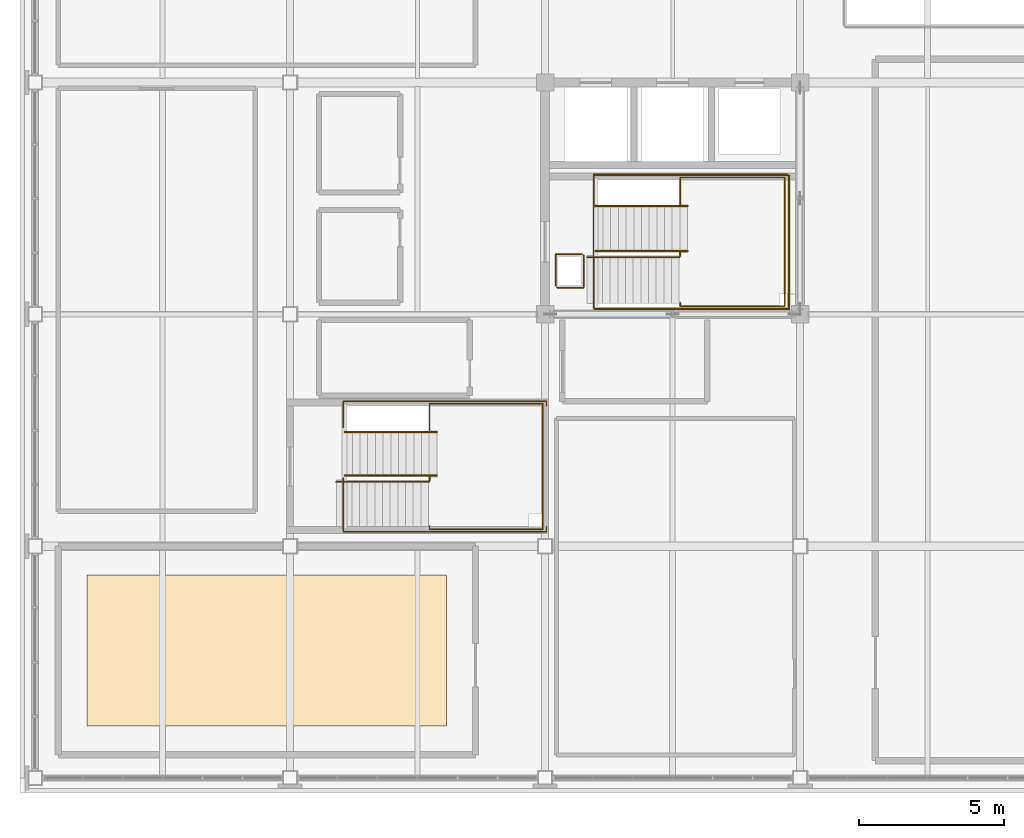
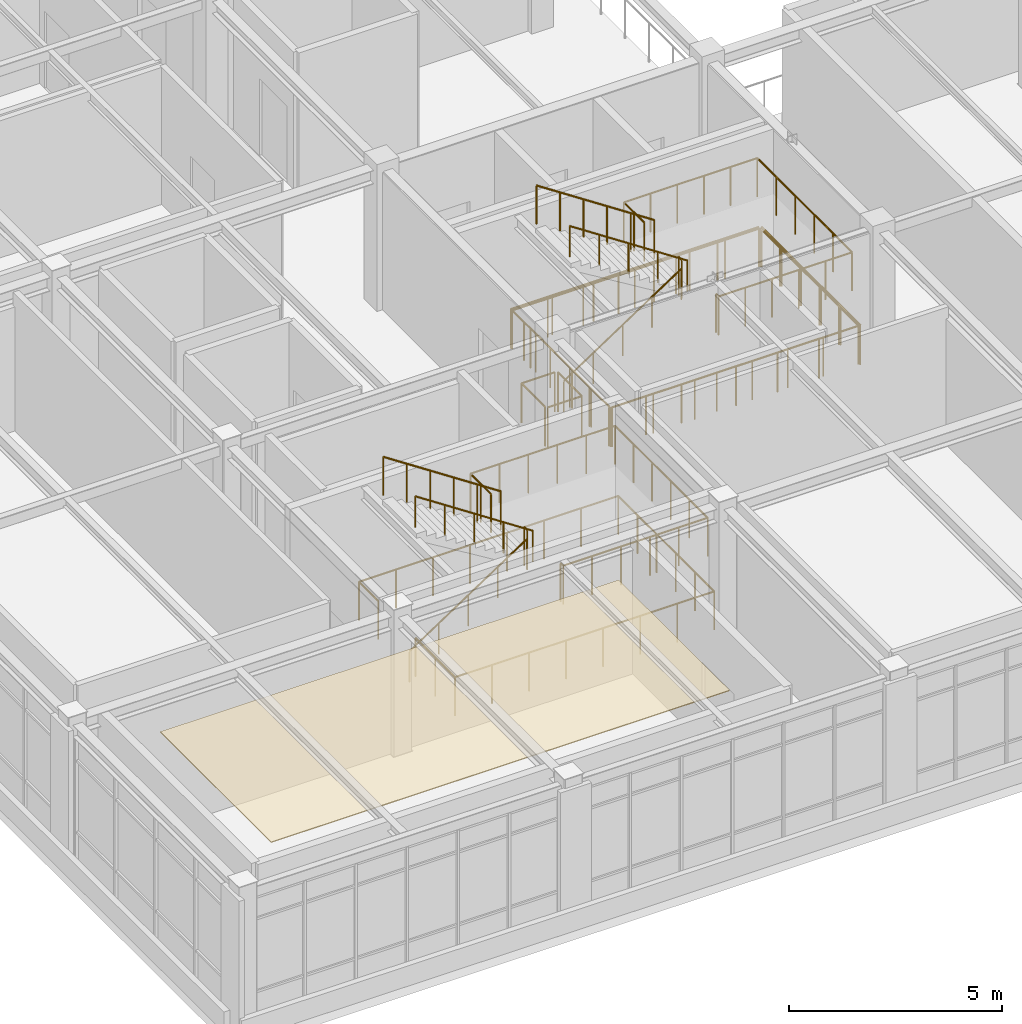
# One storey, part 43 of 45: 16 railings, 1 covering.
"""IFC4 building model written with IfcOpenShell, lengths in metres."""

from ifc_helpers import new_model, si_unit, direction, frame, origin, origin_2d, place, context, subcontext, project, spatial, rectangle, circle, extrude, material, layer, layer_set, type_object, element, save


model = new_model("IFC4")

# Units and contexts
model_context = context("Model", 3, precision=1e-05, world=origin(), true_north=direction((0.0, 1.0)))
body_context = subcontext(model_context, "Body", "Model", "MODEL_VIEW")
ifc_project = project(units=[si_unit("LENGTHUNIT", "METRE"), si_unit("AREAUNIT", "SQUARE_METRE"), si_unit("VOLUMEUNIT", "CUBIC_METRE"), si_unit("PLANEANGLEUNIT", "RADIAN"), si_unit("MASSUNIT", "GRAM", prefix="KILO")], contexts=[model_context])

# Site, building, storey
site_placement = place(None, origin())
site = spatial("IfcSite", under=ifc_project, at=site_placement, CompositionType="ELEMENT")
building_placement = place(site_placement, origin())
building = spatial("IfcBuilding", under=site, at=building_placement, Name="Zhaolan Boulevard Law Courts", CompositionType="ELEMENT")
storey_placement = place(building_placement, frame((0.0, 0.0, 24.60009765625)))
storey = spatial("IfcBuildingStorey", under=building, at=storey_placement, Name="L05", CompositionType="ELEMENT", Elevation=24.60009765625)

# Covering
ifc_material_1 = material(Name="Perforated acoustic gypsum and timber-slat ceiling", Category="wood")
ifc_layer = layer(ifc_material_1, 0.02490234375)
ifc_layer_set = layer_set([ifc_layer])
covering_type = type_object("IfcCoveringType", Name="ACOUSTIC CEILING 25", PredefinedType="CEILING", material=ifc_layer_set)
covering_placement = place(storey_placement, frame((8.0, 34.39990234375, 3.517333984375), z_axis=(0.0, 0.0, 1.0), x_axis=(1.0, 0.0, 0.0)))
element("IfcCovering", 1, at=covering_placement, inside=storey, type_object=covering_type, Name="Acoustic Baffle Ceiling CLG-12", PredefinedType="CEILING", context=body_context, shape_type="SweptSolid", body=[
    extrude(rectangle(XDim=12.39990234375, YDim=5.199951171875, at=origin_2d()), origin(), (0.0, 0.0, 1.0), 0.02490234375),
])

# Railings
ifc_material_2 = material(Name="Powder-coated steel and tempered laminated glass", Category="steel")
railing_type_1 = type_object("IfcRailingType", Name="INTERIOR GUARDRAIL 1150", PredefinedType="GUARDRAIL", material=ifc_material_2)
railing_1_placement = place(storey_placement, frame((19.31005859375, 46.169921875, 0.0)))
element("IfcRailing", 2, at=railing_1_placement, inside=storey, type_object=railing_type_1, Name="Atrium Gallery Guardrail VG-5-V5-6A", PredefinedType="GUARDRAIL", context=body_context, shape_type="SweptSolid", body=[
    extrude(circle(Radius=0.02490234375, at=origin_2d()), frame((0.0, 0.0, 1.125), z_axis=(1.0, 0.0, 0.0), x_axis=(0.0, 1.0, 0.0)), (0.0, 0.0, 1.0), 6.719970703125),
    extrude(circle(Radius=0.02490234375, at=origin_2d()), frame((6.719970703125, 0.0, 1.125), z_axis=(0.0, 1.0, 0.0), x_axis=(-1.0, 0.0, 0.0)), (0.0, 0.0, 1.0), 4.6201171875),
    extrude(circle(Radius=0.02099609375, at=origin_2d()), origin(), (0.0, 0.0, 1.0), 1.099853515625),
    extrude(circle(Radius=0.02099609375, at=origin_2d()), frame((1.1201171875, 0.0, 0.0)), (0.0, 0.0, 1.0), 1.099853515625),
    extrude(circle(Radius=0.02099609375, at=origin_2d()), frame((2.239990234375, 0.0, 0.0)), (0.0, 0.0, 1.0), 1.099853515625),
    extrude(circle(Radius=0.02099609375, at=origin_2d()), frame((3.35986328125, 0.0, 0.0)), (0.0, 0.0, 1.0), 1.099853515625),
    extrude(circle(Radius=0.02099609375, at=origin_2d()), frame((4.47998046875, 0.0, 0.0)), (0.0, 0.0, 1.0), 1.099853515625),
    extrude(circle(Radius=0.02099609375, at=origin_2d()), frame((5.60009765625, 0.0, 0.0)), (0.0, 0.0, 1.0), 1.099853515625),
    extrude(circle(Radius=0.02099609375, at=origin_2d()), frame((6.719970703125, 0.0, 0.0)), (0.0, 0.0, 1.0), 1.099853515625),
    extrude(circle(Radius=0.02099609375, at=origin_2d()), frame((6.719970703125, 0.924072265625, 0.0)), (0.0, 0.0, 1.0), 1.099853515625),
    extrude(circle(Radius=0.02099609375, at=origin_2d()), frame((6.719970703125, 1.84814453125, 0.0)), (0.0, 0.0, 1.0), 1.099853515625),
    extrude(circle(Radius=0.02099609375, at=origin_2d()), frame((6.719970703125, 2.77197265625, 0.0)), (0.0, 0.0, 1.0), 1.099853515625),
    extrude(circle(Radius=0.02099609375, at=origin_2d()), frame((6.719970703125, 3.696044921875, 0.0)), (0.0, 0.0, 1.0), 1.099853515625),
    extrude(circle(Radius=0.02099609375, at=origin_2d()), frame((6.719970703125, 4.6201171875, 0.0)), (0.0, 0.0, 1.0), 1.099853515625),
])
railing_2_placement = place(storey_placement, frame((25.969970703125, 50.830078125, 0.0)))
element("IfcRailing", 3, at=railing_2_placement, inside=storey, type_object=railing_type_1, Name="Atrium Gallery Guardrail VG-5-V5-6B", PredefinedType="GUARDRAIL", context=body_context, shape_type="SweptSolid", body=[
    extrude(circle(Radius=0.02490234375, at=origin_2d()), frame((0.0, 0.0, 1.125), z_axis=(-1.0, 0.0, 0.0), x_axis=(0.0, -1.0, 0.0)), (0.0, 0.0, 1.0), 6.699951171875),
    extrude(circle(Radius=0.02490234375, at=origin_2d()), frame((-6.699951171875, 0.0, 1.125), z_axis=(0.0, -1.0, 0.0), x_axis=(1.0, 0.0, 0.0)), (0.0, 0.0, 1.0), 4.60009765625),
    extrude(circle(Radius=0.02099609375, at=origin_2d()), origin(), (0.0, 0.0, 1.0), 1.099853515625),
    extrude(circle(Radius=0.02099609375, at=origin_2d()), frame((-1.11669921875, 0.0, 0.0)), (0.0, 0.0, 1.0), 1.099853515625),
    extrude(circle(Radius=0.02099609375, at=origin_2d()), frame((-2.2333984375, 0.0, 0.0)), (0.0, 0.0, 1.0), 1.099853515625),
    extrude(circle(Radius=0.02099609375, at=origin_2d()), frame((-3.35009765625, 0.0, 0.0)), (0.0, 0.0, 1.0), 1.099853515625),
    extrude(circle(Radius=0.02099609375, at=origin_2d()), frame((-4.466552734375, 0.0, 0.0)), (0.0, 0.0, 1.0), 1.099853515625),
    extrude(circle(Radius=0.02099609375, at=origin_2d()), frame((-5.583251953125, 0.0, 0.0)), (0.0, 0.0, 1.0), 1.099853515625),
    extrude(circle(Radius=0.02099609375, at=origin_2d()), frame((-6.699951171875, 0.0, 0.0)), (0.0, 0.0, 1.0), 1.099853515625),
    extrude(circle(Radius=0.02099609375, at=origin_2d()), frame((-6.699951171875, -0.919921875, 0.0)), (0.0, 0.0, 1.0), 1.099853515625),
    extrude(circle(Radius=0.02099609375, at=origin_2d()), frame((-6.699951171875, -1.840087890625, 0.0)), (0.0, 0.0, 1.0), 1.099853515625),
    extrude(circle(Radius=0.02099609375, at=origin_2d()), frame((-6.699951171875, -2.760009765625, 0.0)), (0.0, 0.0, 1.0), 1.099853515625),
    extrude(circle(Radius=0.02099609375, at=origin_2d()), frame((-6.699951171875, -3.68017578125, 0.0)), (0.0, 0.0, 1.0), 1.099853515625),
    extrude(circle(Radius=0.02099609375, at=origin_2d()), frame((-6.699951171875, -4.60009765625, 0.0)), (0.0, 0.0, 1.0), 1.099853515625),
])
railing_3_placement = place(storey_placement, frame((18.010009765625, 46.919921875, 0.0)))
element("IfcRailing", 4, at=railing_3_placement, inside=storey, type_object=railing_type_1, Name="Atrium Gallery Guardrail VG-5-V5-9A", PredefinedType="GUARDRAIL", context=body_context, shape_type="SweptSolid", body=[
    extrude(circle(Radius=0.02490234375, at=origin_2d()), frame((0.0, 0.0, 1.125), z_axis=(1.0, 0.0, 0.0), x_axis=(0.0, 1.0, 0.0)), (0.0, 0.0, 1.0), 0.919921875),
    extrude(circle(Radius=0.02490234375, at=origin_2d()), frame((0.919921875, 0.0, 1.125), z_axis=(0.0, 1.0, 0.0), x_axis=(-1.0, 0.0, 0.0)), (0.0, 0.0, 1.0), 1.1201171875),
    extrude(circle(Radius=0.02099609375, at=origin_2d()), origin(), (0.0, 0.0, 1.0), 1.099853515625),
    extrude(circle(Radius=0.02099609375, at=origin_2d()), frame((0.919921875, 0.0, 0.0)), (0.0, 0.0, 1.0), 1.099853515625),
    extrude(circle(Radius=0.02099609375, at=origin_2d()), frame((0.919921875, 1.1201171875, 0.0)), (0.0, 0.0, 1.0), 1.099853515625),
])
railing_4_placement = place(storey_placement, frame((18.8701171875, 48.080078125, 0.0)))
element("IfcRailing", 5, at=railing_4_placement, inside=storey, type_object=railing_type_1, Name="Atrium Gallery Guardrail VG-5-V5-9B", PredefinedType="GUARDRAIL", context=body_context, shape_type="SweptSolid", body=[
    extrude(circle(Radius=0.02490234375, at=origin_2d()), frame((0.0, 0.0, 1.125), z_axis=(-1.0, 0.0, 0.0), x_axis=(0.0, -1.0, 0.0)), (0.0, 0.0, 1.0), 0.900146484375),
    extrude(circle(Radius=0.02490234375, at=origin_2d()), frame((-0.900146484375, 0.0, 1.125), z_axis=(0.0, -1.0, 0.0), x_axis=(1.0, 0.0, 0.0)), (0.0, 0.0, 1.0), 1.10009765625),
    extrude(circle(Radius=0.02099609375, at=origin_2d()), origin(), (0.0, 0.0, 1.0), 1.099853515625),
    extrude(circle(Radius=0.02099609375, at=origin_2d()), frame((-0.900146484375, 0.0, 0.0)), (0.0, 0.0, 1.0), 1.099853515625),
    extrude(circle(Radius=0.02099609375, at=origin_2d()), frame((-0.900146484375, -1.10009765625, 0.0)), (0.0, 0.0, 1.0), 1.099853515625),
])
ifc_material_3 = material(Name="Brushed stainless steel tubular handrail", Category="steel")
railing_type_2 = type_object("IfcRailingType", Name="STAIR HANDRAIL 900", PredefinedType="HANDRAIL", material=ifc_material_3)
railing_5_placement = place(storey_placement, frame((19.050048828125, 47.969970703125, 0.0)))
element("IfcRailing", 6, at=railing_5_placement, inside=storey, type_object=railing_type_2, Name="Stair Handrail HR-ST01-L05-1", PredefinedType="HANDRAIL", context=body_context, shape_type="SweptSolid", body=[
    extrude(circle(Radius=0.0224609375, at=origin_2d()), frame((0.0, 0.0, 0.87744140625), z_axis=(0.834476838559, 0.0, 0.551043016387), x_axis=(0.0, 1.0, 0.0)), (0.0, 0.0, 1.0), 3.810791015625),
    extrude(circle(Radius=0.01904296875, at=origin_2d()), origin(), (0.0, 0.0, 1.0), 0.85498046875),
    extrude(circle(Radius=0.01904296875, at=origin_2d()), frame((0.794921875, 0.0, 0.52490234375)), (0.0, 0.0, 1.0), 0.85498046875),
    extrude(circle(Radius=0.01904296875, at=origin_2d()), frame((1.58984375, 0.0, 1.0498046875)), (0.0, 0.0, 1.0), 0.85498046875),
    extrude(circle(Radius=0.01904296875, at=origin_2d()), frame((2.385009765625, 0.0, 1.574951171875)), (0.0, 0.0, 1.0), 0.85498046875),
    extrude(circle(Radius=0.01904296875, at=origin_2d()), frame((3.179931640625, 0.0, 2.099853515625)), (0.0, 0.0, 1.0), 0.85498046875),
])
railing_6_placement = place(storey_placement, frame((22.514892578125, 48.18994140625, 2.099853515625)))
element("IfcRailing", 7, at=railing_6_placement, inside=storey, type_object=railing_type_2, Name="Stair Handrail HR-ST01-L05-2", PredefinedType="HANDRAIL", context=body_context, shape_type="SweptSolid", body=[
    extrude(circle(Radius=0.0224609375, at=origin_2d()), frame((0.0, 0.0, 0.87744140625), z_axis=(-0.834447378162, 0.0, 0.551087627405), x_axis=(0.0, -1.0, 0.0)), (0.0, 0.0, 1.0), 3.810791015625),
    extrude(circle(Radius=0.01904296875, at=origin_2d()), origin(), (0.0, 0.0, 1.0), 0.85498046875),
    extrude(circle(Radius=0.01904296875, at=origin_2d()), frame((-0.794921875, 0.0, 0.52490234375)), (0.0, 0.0, 1.0), 0.85498046875),
    extrude(circle(Radius=0.01904296875, at=origin_2d()), frame((-1.58984375, 0.0, 1.050048828125)), (0.0, 0.0, 1.0), 0.85498046875),
    extrude(circle(Radius=0.01904296875, at=origin_2d()), frame((-2.385009765625, 0.0, 1.5751953125)), (0.0, 0.0, 1.0), 0.85498046875),
    extrude(circle(Radius=0.01904296875, at=origin_2d()), frame((-3.179931640625, 0.0, 2.10009765625)), (0.0, 0.0, 1.0), 0.85498046875),
])
railing_7_placement = place(storey_placement, frame((10.39990234375, 40.219970703125, 0.0)))
element("IfcRailing", 8, at=railing_7_placement, inside=storey, type_object=railing_type_2, Name="Stair Handrail HR-ST03-L05-1", PredefinedType="HANDRAIL", context=body_context, shape_type="SweptSolid", body=[
    extrude(circle(Radius=0.0224609375, at=origin_2d()), frame((0.0, 0.0, 0.87744140625), z_axis=(0.834496290938, 0.0, 0.551013557374), x_axis=(0.0, 1.0, 0.0)), (0.0, 0.0, 1.0), 3.810791015625),
    extrude(circle(Radius=0.01904296875, at=origin_2d()), origin(), (0.0, 0.0, 1.0), 0.85498046875),
    extrude(circle(Radius=0.01904296875, at=origin_2d()), frame((0.794921875, 0.0, 0.52490234375)), (0.0, 0.0, 1.0), 0.85498046875),
    extrude(circle(Radius=0.01904296875, at=origin_2d()), frame((1.590087890625, 0.0, 1.0498046875)), (0.0, 0.0, 1.0), 0.85498046875),
    extrude(circle(Radius=0.01904296875, at=origin_2d()), frame((2.38525390625, 0.0, 1.574951171875)), (0.0, 0.0, 1.0), 0.85498046875),
    extrude(circle(Radius=0.01904296875, at=origin_2d()), frame((3.18017578125, 0.0, 2.099853515625)), (0.0, 0.0, 1.0), 0.85498046875),
])
railing_8_placement = place(storey_placement, frame((13.864990234375, 40.43994140625, 2.099853515625)))
element("IfcRailing", 9, at=railing_8_placement, inside=storey, type_object=railing_type_2, Name="Stair Handrail HR-ST03-L05-2", PredefinedType="HANDRAIL", context=body_context, shape_type="SweptSolid", body=[
    extrude(circle(Radius=0.0224609375, at=origin_2d()), frame((0.0, 0.0, 0.87744140625), z_axis=(-0.834447378162, 0.0, 0.551087627405), x_axis=(0.0, -1.0, 0.0)), (0.0, 0.0, 1.0), 3.810791015625),
    extrude(circle(Radius=0.01904296875, at=origin_2d()), origin(), (0.0, 0.0, 1.0), 0.85498046875),
    extrude(circle(Radius=0.01904296875, at=origin_2d()), frame((-0.794921875, 0.0, 0.52490234375)), (0.0, 0.0, 1.0), 0.85498046875),
    extrude(circle(Radius=0.01904296875, at=origin_2d()), frame((-1.58984375, 0.0, 1.050048828125)), (0.0, 0.0, 1.0), 0.85498046875),
    extrude(circle(Radius=0.01904296875, at=origin_2d()), frame((-2.385009765625, 0.0, 1.5751953125)), (0.0, 0.0, 1.0), 0.85498046875),
    extrude(circle(Radius=0.01904296875, at=origin_2d()), frame((-3.179931640625, 0.0, 2.10009765625)), (0.0, 0.0, 1.0), 0.85498046875),
])
ifc_material_4 = material(Name="Powder-coated steel baluster guardrail", Category="steel")
railing_type_3 = type_object("IfcRailingType", Name="STAIR WELL GUARDRAIL 1120", PredefinedType="GUARDRAIL", material=ifc_material_4)
railing_9_placement = place(storey_placement, frame((19.2900390625, 48.0, 0.0)))
element("IfcRailing", 10, at=railing_9_placement, inside=storey, type_object=railing_type_3, Name="Stair-Well Floor Guardrail WG-ST01-L04", PredefinedType="GUARDRAIL", context=body_context, shape_type="SweptSolid", body=[
    extrude(circle(Radius=0.02392578125, at=origin_2d()), frame((0.0, 0.0, 1.09619140625), z_axis=(0.0, -1.0, 0.0), x_axis=(1.0, 0.0, 0.0)), (0.0, 0.0, 1.0), 1.800048828125),
    extrude(circle(Radius=0.02392578125, at=origin_2d()), frame((0.0, -1.800048828125, 1.09619140625), z_axis=(1.0, 0.0, 0.0), x_axis=(0.0, 1.0, 0.0)), (0.0, 0.0, 1.0), 6.7099609375),
    extrude(circle(Radius=0.02392578125, at=origin_2d()), frame((6.7099609375, -1.800048828125, 1.09619140625), z_axis=(0.0, 1.0, 0.0), x_axis=(-1.0, 0.0, 0.0)), (0.0, 0.0, 1.0), 4.60009765625),
    extrude(circle(Radius=0.02392578125, at=origin_2d()), frame((6.7099609375, 2.800048828125, 1.09619140625), z_axis=(-1.0, 0.0, 0.0), x_axis=(0.0, -1.0, 0.0)), (0.0, 0.0, 1.0), 6.7099609375),
    extrude(circle(Radius=0.02392578125, at=origin_2d()), frame((0.0, 2.800048828125, 1.09619140625), z_axis=(0.0, -1.0, 0.0), x_axis=(1.0, 0.0, 0.0)), (0.0, 0.0, 1.0), 1.10009765625),
    extrude(circle(Radius=0.02099609375, at=origin_2d()), origin(), (0.0, 0.0, 1.0), 1.072021484375),
    extrude(circle(Radius=0.02099609375, at=origin_2d()), frame((0.0, -0.89990234375, 0.0)), (0.0, 0.0, 1.0), 1.072021484375),
    extrude(circle(Radius=0.02099609375, at=origin_2d()), frame((0.0, -1.800048828125, 0.0)), (0.0, 0.0, 1.0), 1.072021484375),
    extrude(circle(Radius=0.02099609375, at=origin_2d()), frame((0.95849609375, -1.800048828125, 0.0)), (0.0, 0.0, 1.0), 1.072021484375),
    extrude(circle(Radius=0.02099609375, at=origin_2d()), frame((1.917236328125, -1.800048828125, 0.0)), (0.0, 0.0, 1.0), 1.072021484375),
    extrude(circle(Radius=0.02099609375, at=origin_2d()), frame((2.875732421875, -1.800048828125, 0.0)), (0.0, 0.0, 1.0), 1.072021484375),
    extrude(circle(Radius=0.02099609375, at=origin_2d()), frame((3.834228515625, -1.800048828125, 0.0)), (0.0, 0.0, 1.0), 1.072021484375),
    extrude(circle(Radius=0.02099609375, at=origin_2d()), frame((4.792724609375, -1.800048828125, 0.0)), (0.0, 0.0, 1.0), 1.072021484375),
    extrude(circle(Radius=0.02099609375, at=origin_2d()), frame((5.75146484375, -1.800048828125, 0.0)), (0.0, 0.0, 1.0), 1.072021484375),
    extrude(circle(Radius=0.02099609375, at=origin_2d()), frame((6.7099609375, -1.800048828125, 0.0)), (0.0, 0.0, 1.0), 1.072021484375),
    extrude(circle(Radius=0.02099609375, at=origin_2d()), frame((6.7099609375, -0.880126953125, 0.0)), (0.0, 0.0, 1.0), 1.072021484375),
    extrude(circle(Radius=0.02099609375, at=origin_2d()), frame((6.7099609375, 0.0400390625, 0.0)), (0.0, 0.0, 1.0), 1.072021484375),
    extrude(circle(Radius=0.02099609375, at=origin_2d()), frame((6.7099609375, 0.9599609375, 0.0)), (0.0, 0.0, 1.0), 1.072021484375),
    extrude(circle(Radius=0.02099609375, at=origin_2d()), frame((6.7099609375, 1.880126953125, 0.0)), (0.0, 0.0, 1.0), 1.072021484375),
    extrude(circle(Radius=0.02099609375, at=origin_2d()), frame((6.7099609375, 2.800048828125, 0.0)), (0.0, 0.0, 1.0), 1.072021484375),
    extrude(circle(Radius=0.02099609375, at=origin_2d()), frame((5.75146484375, 2.800048828125, 0.0)), (0.0, 0.0, 1.0), 1.072021484375),
    extrude(circle(Radius=0.02099609375, at=origin_2d()), frame((4.792724609375, 2.800048828125, 0.0)), (0.0, 0.0, 1.0), 1.072021484375),
    extrude(circle(Radius=0.02099609375, at=origin_2d()), frame((3.834228515625, 2.800048828125, 0.0)), (0.0, 0.0, 1.0), 1.072021484375),
    extrude(circle(Radius=0.02099609375, at=origin_2d()), frame((2.875732421875, 2.800048828125, 0.0)), (0.0, 0.0, 1.0), 1.072021484375),
    extrude(circle(Radius=0.02099609375, at=origin_2d()), frame((1.917236328125, 2.800048828125, 0.0)), (0.0, 0.0, 1.0), 1.072021484375),
    extrude(circle(Radius=0.02099609375, at=origin_2d()), frame((0.95849609375, 2.800048828125, 0.0)), (0.0, 0.0, 1.0), 1.072021484375),
    extrude(circle(Radius=0.02099609375, at=origin_2d()), frame((0.0, 2.800048828125, 0.0)), (0.0, 0.0, 1.0), 1.072021484375),
    extrude(circle(Radius=0.02099609375, at=origin_2d()), frame((0.0, 2.25, 0.0)), (0.0, 0.0, 1.0), 1.072021484375),
    extrude(circle(Radius=0.02099609375, at=origin_2d()), frame((0.0, 1.699951171875, 0.0)), (0.0, 0.0, 1.0), 1.072021484375),
])
railing_10_placement = place(storey_placement, frame((22.260009765625, 46.39990234375, 2.099853515625)))
element("IfcRailing", 11, at=railing_10_placement, inside=storey, type_object=railing_type_3, Name="Half-Landing Guardrail SG-ST01-L05-M", PredefinedType="GUARDRAIL", context=body_context, shape_type="SweptSolid", body=[
    extrude(circle(Radius=0.02392578125, at=origin_2d()), frame((0.0, 0.0, 1.09619140625), z_axis=(0.0, -1.0, 0.0), x_axis=(1.0, 0.0, 0.0)), (0.0, 0.0, 1.0), 0.119873046875),
    extrude(circle(Radius=0.02392578125, at=origin_2d()), frame((0.0, -0.119873046875, 1.09619140625), z_axis=(1.0, 0.0, 0.0), x_axis=(0.0, 1.0, 0.0)), (0.0, 0.0, 1.0), 3.610107421875),
    extrude(circle(Radius=0.02392578125, at=origin_2d()), frame((3.610107421875, -0.119873046875, 1.09619140625), z_axis=(0.0, 1.0, 0.0), x_axis=(-1.0, 0.0, 0.0)), (0.0, 0.0, 1.0), 4.43994140625),
    extrude(circle(Radius=0.02392578125, at=origin_2d()), frame((3.610107421875, 4.320068359375, 1.09619140625), z_axis=(-1.0, 0.0, 0.0), x_axis=(0.0, -1.0, 0.0)), (0.0, 0.0, 1.0), 3.610107421875),
    extrude(circle(Radius=0.02392578125, at=origin_2d()), frame((0.0, 4.320068359375, 1.09619140625), z_axis=(0.0, -1.0, 0.0), x_axis=(1.0, 0.0, 0.0)), (0.0, 0.0, 1.0), 0.9599609375),
    extrude(circle(Radius=0.02099609375, at=origin_2d()), origin(), (0.0, 0.0, 1.0), 1.072021484375),
    extrude(circle(Radius=0.02099609375, at=origin_2d()), frame((0.0, -0.119873046875, 0.0)), (0.0, 0.0, 1.0), 1.072021484375),
    extrude(circle(Radius=0.02099609375, at=origin_2d()), frame((0.721923828125, -0.119873046875, 0.0)), (0.0, 0.0, 1.0), 1.072021484375),
    extrude(circle(Radius=0.02099609375, at=origin_2d()), frame((1.444091796875, -0.119873046875, 0.0)), (0.0, 0.0, 1.0), 1.072021484375),
    extrude(circle(Radius=0.02099609375, at=origin_2d()), frame((2.166015625, -0.119873046875, 0.0)), (0.0, 0.0, 1.0), 1.072021484375),
    extrude(circle(Radius=0.02099609375, at=origin_2d()), frame((2.88818359375, -0.119873046875, 0.0)), (0.0, 0.0, 1.0), 1.072021484375),
    extrude(circle(Radius=0.02099609375, at=origin_2d()), frame((3.610107421875, -0.119873046875, 0.0)), (0.0, 0.0, 1.0), 1.072021484375),
    extrude(circle(Radius=0.02099609375, at=origin_2d()), frame((3.610107421875, 0.76806640625, 0.0)), (0.0, 0.0, 1.0), 1.072021484375),
    extrude(circle(Radius=0.02099609375, at=origin_2d()), frame((3.610107421875, 1.656005859375, 0.0)), (0.0, 0.0, 1.0), 1.072021484375),
    extrude(circle(Radius=0.02099609375, at=origin_2d()), frame((3.610107421875, 2.544189453125, 0.0)), (0.0, 0.0, 1.0), 1.072021484375),
    extrude(circle(Radius=0.02099609375, at=origin_2d()), frame((3.610107421875, 3.43212890625, 0.0)), (0.0, 0.0, 1.0), 1.072021484375),
    extrude(circle(Radius=0.02099609375, at=origin_2d()), frame((3.610107421875, 4.320068359375, 0.0)), (0.0, 0.0, 1.0), 1.072021484375),
    extrude(circle(Radius=0.02099609375, at=origin_2d()), frame((2.88818359375, 4.320068359375, 0.0)), (0.0, 0.0, 1.0), 1.072021484375),
    extrude(circle(Radius=0.02099609375, at=origin_2d()), frame((2.166015625, 4.320068359375, 0.0)), (0.0, 0.0, 1.0), 1.072021484375),
    extrude(circle(Radius=0.02099609375, at=origin_2d()), frame((1.444091796875, 4.320068359375, 0.0)), (0.0, 0.0, 1.0), 1.072021484375),
    extrude(circle(Radius=0.02099609375, at=origin_2d()), frame((0.721923828125, 4.320068359375, 0.0)), (0.0, 0.0, 1.0), 1.072021484375),
    extrude(circle(Radius=0.02099609375, at=origin_2d()), frame((0.0, 4.320068359375, 0.0)), (0.0, 0.0, 1.0), 1.072021484375),
    extrude(circle(Radius=0.02099609375, at=origin_2d()), frame((0.0, 3.840087890625, 0.0)), (0.0, 0.0, 1.0), 1.072021484375),
    extrude(circle(Radius=0.02099609375, at=origin_2d()), frame((0.0, 3.360107421875, 0.0)), (0.0, 0.0, 1.0), 1.072021484375),
])
railing_11_placement = place(storey_placement, frame((22.260009765625, 48.010009765625, 2.099853515625)))
element("IfcRailing", 12, at=railing_11_placement, inside=storey, type_object=railing_type_3, Name="Half-Landing Well Guardrail SG-ST01-L05-W", PredefinedType="GUARDRAIL", context=body_context, shape_type="SweptSolid", body=[
    extrude(circle(Radius=0.02392578125, at=origin_2d()), frame((0.0, 0.0, 1.09619140625), z_axis=(0.0, 1.0, 0.0), x_axis=(-1.0, 0.0, 0.0)), (0.0, 0.0, 1.0), 0.139892578125),
    extrude(circle(Radius=0.02099609375, at=origin_2d()), origin(), (0.0, 0.0, 1.0), 1.072021484375),
    extrude(circle(Radius=0.02099609375, at=origin_2d()), frame((0.0, 0.139892578125, 0.0)), (0.0, 0.0, 1.0), 1.072021484375),
])
railing_12_placement = place(storey_placement, frame((22.514892578125, 49.739990234375, 2.099853515625)))
element("IfcRailing", 13, at=railing_12_placement, inside=storey, type_object=railing_type_3, Name="Flight Guardrail SG-ST01-L05-F2", PredefinedType="GUARDRAIL", context=body_context, shape_type="SweptSolid", body=[
    extrude(circle(Radius=0.02392578125, at=origin_2d()), frame((0.0, 0.0, 1.09619140625), z_axis=(-0.834447378162, 0.0, 0.551087627405), x_axis=(0.0, -1.0, 0.0)), (0.0, 0.0, 1.0), 3.810791015625),
    extrude(circle(Radius=0.02099609375, at=origin_2d()), origin(), (0.0, 0.0, 1.0), 1.072021484375),
    extrude(circle(Radius=0.02099609375, at=origin_2d()), frame((-0.635986328125, 0.0, 0.419921875)), (0.0, 0.0, 1.0), 1.072021484375),
    extrude(circle(Radius=0.02099609375, at=origin_2d()), frame((-1.27197265625, 0.0, 0.840087890625)), (0.0, 0.0, 1.0), 1.072021484375),
    extrude(circle(Radius=0.02099609375, at=origin_2d()), frame((-1.907958984375, 0.0, 1.260009765625)), (0.0, 0.0, 1.0), 1.072021484375),
    extrude(circle(Radius=0.02099609375, at=origin_2d()), frame((-2.5439453125, 0.0, 1.68017578125)), (0.0, 0.0, 1.0), 1.072021484375),
    extrude(circle(Radius=0.02099609375, at=origin_2d()), frame((-3.179931640625, 0.0, 2.10009765625)), (0.0, 0.0, 1.0), 1.072021484375),
])
railing_13_placement = place(storey_placement, frame((10.639892578125, 40.35009765625, 0.0)))
element("IfcRailing", 14, at=railing_13_placement, inside=storey, type_object=railing_type_3, Name="Stair-Well Floor Guardrail WG-ST03-L04", PredefinedType="GUARDRAIL", context=body_context, shape_type="SweptSolid", body=[
    extrude(circle(Radius=0.02392578125, at=origin_2d()), frame((0.0, 0.0, 1.09619140625), z_axis=(0.0, -1.0, 0.0), x_axis=(1.0, 0.0, 0.0)), (0.0, 0.0, 1.0), 1.85009765625),
    extrude(circle(Radius=0.02392578125, at=origin_2d()), frame((0.0, -1.85009765625, 1.09619140625), z_axis=(1.0, 0.0, 0.0), x_axis=(0.0, 1.0, 0.0)), (0.0, 0.0, 1.0), 7.010009765625),
    extrude(circle(Radius=0.02392578125, at=origin_2d()), frame((7.010009765625, -1.85009765625, 1.09619140625), z_axis=(0.0, 1.0, 0.0), x_axis=(-1.0, 0.0, 0.0)), (0.0, 0.0, 1.0), 4.5),
    extrude(circle(Radius=0.02392578125, at=origin_2d()), frame((7.010009765625, 2.64990234375, 1.09619140625), z_axis=(-1.0, 0.0, 0.0), x_axis=(0.0, -1.0, 0.0)), (0.0, 0.0, 1.0), 7.010009765625),
    extrude(circle(Radius=0.02392578125, at=origin_2d()), frame((0.0, 2.64990234375, 1.09619140625), z_axis=(0.0, -1.0, 0.0), x_axis=(1.0, 0.0, 0.0)), (0.0, 0.0, 1.0), 0.89990234375),
    extrude(circle(Radius=0.02099609375, at=origin_2d()), origin(), (0.0, 0.0, 1.0), 1.072021484375),
    extrude(circle(Radius=0.02099609375, at=origin_2d()), frame((0.0, -0.925048828125, 0.0)), (0.0, 0.0, 1.0), 1.072021484375),
    extrude(circle(Radius=0.02099609375, at=origin_2d()), frame((0.0, -1.85009765625, 0.0)), (0.0, 0.0, 1.0), 1.072021484375),
    extrude(circle(Radius=0.02099609375, at=origin_2d()), frame((1.00146484375, -1.85009765625, 0.0)), (0.0, 0.0, 1.0), 1.072021484375),
    extrude(circle(Radius=0.02099609375, at=origin_2d()), frame((2.0029296875, -1.85009765625, 0.0)), (0.0, 0.0, 1.0), 1.072021484375),
    extrude(circle(Radius=0.02099609375, at=origin_2d()), frame((3.00439453125, -1.85009765625, 0.0)), (0.0, 0.0, 1.0), 1.072021484375),
    extrude(circle(Radius=0.02099609375, at=origin_2d()), frame((4.005615234375, -1.85009765625, 0.0)), (0.0, 0.0, 1.0), 1.072021484375),
    extrude(circle(Radius=0.02099609375, at=origin_2d()), frame((5.007080078125, -1.85009765625, 0.0)), (0.0, 0.0, 1.0), 1.072021484375),
    extrude(circle(Radius=0.02099609375, at=origin_2d()), frame((6.008544921875, -1.85009765625, 0.0)), (0.0, 0.0, 1.0), 1.072021484375),
    extrude(circle(Radius=0.02099609375, at=origin_2d()), frame((7.010009765625, -1.85009765625, 0.0)), (0.0, 0.0, 1.0), 1.072021484375),
    extrude(circle(Radius=0.02099609375, at=origin_2d()), frame((7.010009765625, -0.9501953125, 0.0)), (0.0, 0.0, 1.0), 1.072021484375),
    extrude(circle(Radius=0.02099609375, at=origin_2d()), frame((7.010009765625, -0.050048828125, 0.0)), (0.0, 0.0, 1.0), 1.072021484375),
    extrude(circle(Radius=0.02099609375, at=origin_2d()), frame((7.010009765625, 0.849853515625, 0.0)), (0.0, 0.0, 1.0), 1.072021484375),
    extrude(circle(Radius=0.02099609375, at=origin_2d()), frame((7.010009765625, 1.75, 0.0)), (0.0, 0.0, 1.0), 1.072021484375),
    extrude(circle(Radius=0.02099609375, at=origin_2d()), frame((7.010009765625, 2.64990234375, 0.0)), (0.0, 0.0, 1.0), 1.072021484375),
    extrude(circle(Radius=0.02099609375, at=origin_2d()), frame((6.008544921875, 2.64990234375, 0.0)), (0.0, 0.0, 1.0), 1.072021484375),
    extrude(circle(Radius=0.02099609375, at=origin_2d()), frame((5.007080078125, 2.64990234375, 0.0)), (0.0, 0.0, 1.0), 1.072021484375),
    extrude(circle(Radius=0.02099609375, at=origin_2d()), frame((4.005615234375, 2.64990234375, 0.0)), (0.0, 0.0, 1.0), 1.072021484375),
    extrude(circle(Radius=0.02099609375, at=origin_2d()), frame((3.00439453125, 2.64990234375, 0.0)), (0.0, 0.0, 1.0), 1.072021484375),
    extrude(circle(Radius=0.02099609375, at=origin_2d()), frame((2.0029296875, 2.64990234375, 0.0)), (0.0, 0.0, 1.0), 1.072021484375),
    extrude(circle(Radius=0.02099609375, at=origin_2d()), frame((1.00146484375, 2.64990234375, 0.0)), (0.0, 0.0, 1.0), 1.072021484375),
    extrude(circle(Radius=0.02099609375, at=origin_2d()), frame((0.0, 2.64990234375, 0.0)), (0.0, 0.0, 1.0), 1.072021484375),
    extrude(circle(Radius=0.02099609375, at=origin_2d()), frame((0.0, 1.75, 0.0)), (0.0, 0.0, 1.0), 1.072021484375),
])
railing_14_placement = place(storey_placement, frame((13.610107421875, 38.699951171875, 2.099853515625)))
element("IfcRailing", 15, at=railing_14_placement, inside=storey, type_object=railing_type_3, Name="Half-Landing Guardrail SG-ST03-L05-M", PredefinedType="GUARDRAIL", context=body_context, shape_type="SweptSolid", body=[
    extrude(circle(Radius=0.02392578125, at=origin_2d()), frame((0.0, 0.0, 1.09619140625), z_axis=(0.0, -1.0, 0.0), x_axis=(1.0, 0.0, 0.0)), (0.0, 0.0, 1.0), 0.119873046875),
    extrude(circle(Radius=0.02392578125, at=origin_2d()), frame((0.0, -0.119873046875, 1.09619140625), z_axis=(1.0, 0.0, 0.0), x_axis=(0.0, 1.0, 0.0)), (0.0, 0.0, 1.0), 3.909912109375),
    extrude(circle(Radius=0.02392578125, at=origin_2d()), frame((3.909912109375, -0.119873046875, 1.09619140625), z_axis=(0.0, 1.0, 0.0), x_axis=(-1.0, 0.0, 0.0)), (0.0, 0.0, 1.0), 4.33984375),
    extrude(circle(Radius=0.02392578125, at=origin_2d()), frame((3.909912109375, 4.219970703125, 1.09619140625), z_axis=(-1.0, 0.0, 0.0), x_axis=(0.0, -1.0, 0.0)), (0.0, 0.0, 1.0), 3.909912109375),
    extrude(circle(Radius=0.02392578125, at=origin_2d()), frame((0.0, 4.219970703125, 1.09619140625), z_axis=(0.0, -1.0, 0.0), x_axis=(1.0, 0.0, 0.0)), (0.0, 0.0, 1.0), 0.9599609375),
    extrude(circle(Radius=0.02099609375, at=origin_2d()), origin(), (0.0, 0.0, 1.0), 1.072021484375),
    extrude(circle(Radius=0.02099609375, at=origin_2d()), frame((0.0, -0.119873046875, 0.0)), (0.0, 0.0, 1.0), 1.072021484375),
    extrude(circle(Radius=0.02099609375, at=origin_2d()), frame((0.781982421875, -0.119873046875, 0.0)), (0.0, 0.0, 1.0), 1.072021484375),
    extrude(circle(Radius=0.02099609375, at=origin_2d()), frame((1.56396484375, -0.119873046875, 0.0)), (0.0, 0.0, 1.0), 1.072021484375),
    extrude(circle(Radius=0.02099609375, at=origin_2d()), frame((2.345947265625, -0.119873046875, 0.0)), (0.0, 0.0, 1.0), 1.072021484375),
    extrude(circle(Radius=0.02099609375, at=origin_2d()), frame((3.1279296875, -0.119873046875, 0.0)), (0.0, 0.0, 1.0), 1.072021484375),
    extrude(circle(Radius=0.02099609375, at=origin_2d()), frame((3.909912109375, -0.119873046875, 0.0)), (0.0, 0.0, 1.0), 1.072021484375),
    extrude(circle(Radius=0.02099609375, at=origin_2d()), frame((3.909912109375, 0.748046875, 0.0)), (0.0, 0.0, 1.0), 1.072021484375),
    extrude(circle(Radius=0.02099609375, at=origin_2d()), frame((3.909912109375, 1.615966796875, 0.0)), (0.0, 0.0, 1.0), 1.072021484375),
    extrude(circle(Radius=0.02099609375, at=origin_2d()), frame((3.909912109375, 2.484130859375, 0.0)), (0.0, 0.0, 1.0), 1.072021484375),
    extrude(circle(Radius=0.02099609375, at=origin_2d()), frame((3.909912109375, 3.35205078125, 0.0)), (0.0, 0.0, 1.0), 1.072021484375),
    extrude(circle(Radius=0.02099609375, at=origin_2d()), frame((3.909912109375, 4.219970703125, 0.0)), (0.0, 0.0, 1.0), 1.072021484375),
    extrude(circle(Radius=0.02099609375, at=origin_2d()), frame((3.1279296875, 4.219970703125, 0.0)), (0.0, 0.0, 1.0), 1.072021484375),
    extrude(circle(Radius=0.02099609375, at=origin_2d()), frame((2.345947265625, 4.219970703125, 0.0)), (0.0, 0.0, 1.0), 1.072021484375),
    extrude(circle(Radius=0.02099609375, at=origin_2d()), frame((1.56396484375, 4.219970703125, 0.0)), (0.0, 0.0, 1.0), 1.072021484375),
    extrude(circle(Radius=0.02099609375, at=origin_2d()), frame((0.781982421875, 4.219970703125, 0.0)), (0.0, 0.0, 1.0), 1.072021484375),
    extrude(circle(Radius=0.02099609375, at=origin_2d()), frame((0.0, 4.219970703125, 0.0)), (0.0, 0.0, 1.0), 1.072021484375),
    extrude(circle(Radius=0.02099609375, at=origin_2d()), frame((0.0, 3.739990234375, 0.0)), (0.0, 0.0, 1.0), 1.072021484375),
    extrude(circle(Radius=0.02099609375, at=origin_2d()), frame((0.0, 3.260009765625, 0.0)), (0.0, 0.0, 1.0), 1.072021484375),
])
railing_15_placement = place(storey_placement, frame((13.610107421875, 40.260009765625, 2.099853515625)))
element("IfcRailing", 16, at=railing_15_placement, inside=storey, type_object=railing_type_3, Name="Half-Landing Well Guardrail SG-ST03-L05-W", PredefinedType="GUARDRAIL", context=body_context, shape_type="SweptSolid", body=[
    extrude(circle(Radius=0.02392578125, at=origin_2d()), frame((0.0, 0.0, 1.09619140625), z_axis=(0.0, 1.0, 0.0), x_axis=(-1.0, 0.0, 0.0)), (0.0, 0.0, 1.0), 0.139892578125),
    extrude(circle(Radius=0.02099609375, at=origin_2d()), origin(), (0.0, 0.0, 1.0), 1.072021484375),
    extrude(circle(Radius=0.02099609375, at=origin_2d()), frame((0.0, 0.139892578125, 0.0)), (0.0, 0.0, 1.0), 1.072021484375),
])
railing_16_placement = place(storey_placement, frame((13.864990234375, 41.93994140625, 2.099853515625)))
element("IfcRailing", 17, at=railing_16_placement, inside=storey, type_object=railing_type_3, Name="Flight Guardrail SG-ST03-L05-F2", PredefinedType="GUARDRAIL", context=body_context, shape_type="SweptSolid", body=[
    extrude(circle(Radius=0.02392578125, at=origin_2d()), frame((0.0, 0.0, 1.09619140625), z_axis=(-0.834447378162, 0.0, 0.551087627405), x_axis=(0.0, -1.0, 0.0)), (0.0, 0.0, 1.0), 3.810791015625),
    extrude(circle(Radius=0.02099609375, at=origin_2d()), origin(), (0.0, 0.0, 1.0), 1.072021484375),
    extrude(circle(Radius=0.02099609375, at=origin_2d()), frame((-0.635986328125, 0.0, 0.419921875)), (0.0, 0.0, 1.0), 1.072021484375),
    extrude(circle(Radius=0.02099609375, at=origin_2d()), frame((-1.27197265625, 0.0, 0.840087890625)), (0.0, 0.0, 1.0), 1.072021484375),
    extrude(circle(Radius=0.02099609375, at=origin_2d()), frame((-1.907958984375, 0.0, 1.260009765625)), (0.0, 0.0, 1.0), 1.072021484375),
    extrude(circle(Radius=0.02099609375, at=origin_2d()), frame((-2.5439453125, 0.0, 1.68017578125)), (0.0, 0.0, 1.0), 1.072021484375),
    extrude(circle(Radius=0.02099609375, at=origin_2d()), frame((-3.179931640625, 0.0, 2.10009765625)), (0.0, 0.0, 1.0), 1.072021484375),
])

save(model, "model.ifc")
